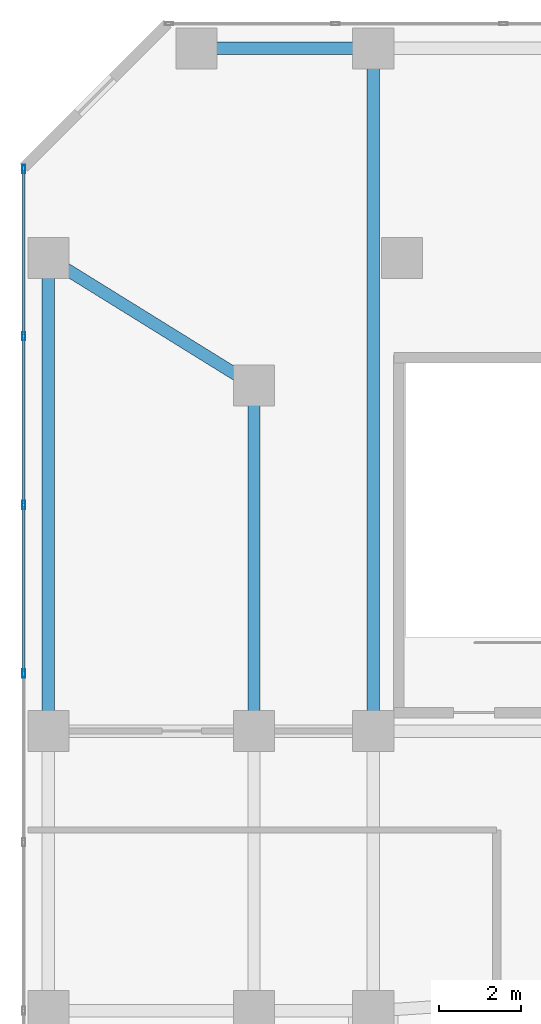
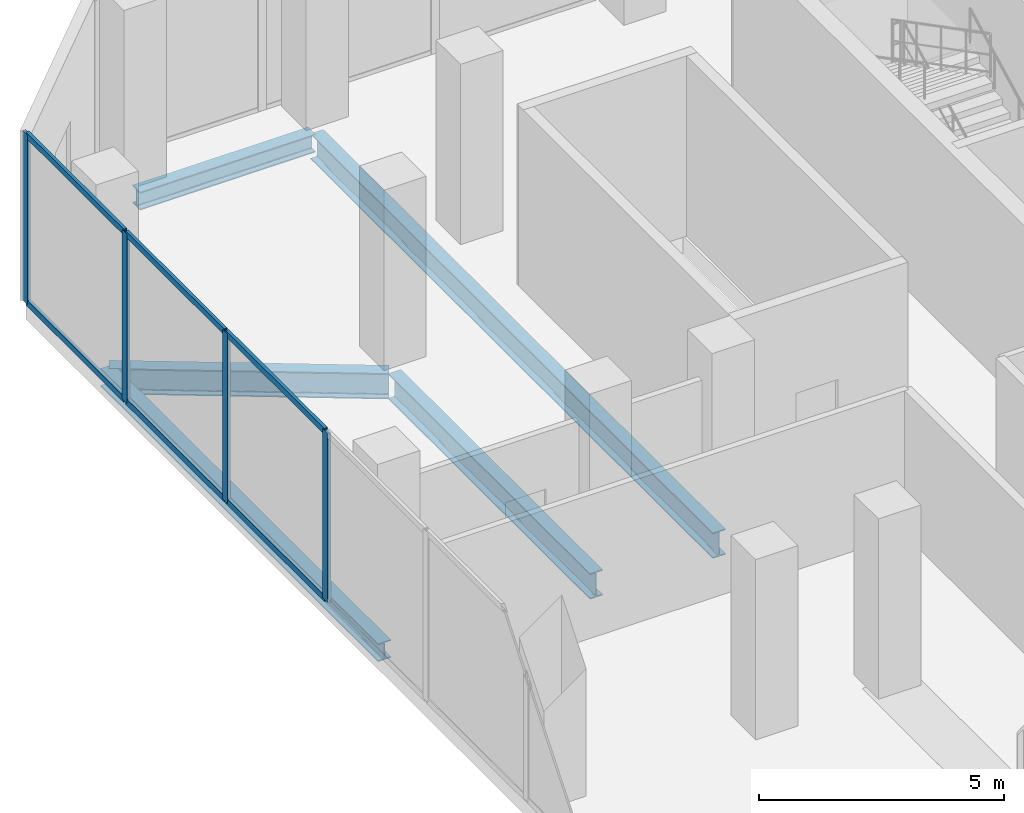
# One storey, part 13 of 24: 10 members, 5 beams, 1 element without a shape of its own.
"""IFC4 building model written with IfcOpenShell, lengths in metres."""

from ifc_helpers import new_model, si_unit, direction, frame, origin, origin_2d, place, context, subcontext, project, spatial, hollow_rectangle, i_section, extrude, material, layer, layer_set, material_profile, profile_set, type_object, element, aggregate, save


model = new_model("IFC4")

# Units and contexts
model_context = context("Model", 3, precision=1e-05, world=origin(), true_north=direction((0.0, 1.0)))
body_context = subcontext(model_context, "Body", "Model", "MODEL_VIEW")
ifc_project = project(units=[si_unit("LENGTHUNIT", "METRE"), si_unit("AREAUNIT", "SQUARE_METRE"), si_unit("VOLUMEUNIT", "CUBIC_METRE"), si_unit("PLANEANGLEUNIT", "RADIAN"), si_unit("MASSUNIT", "GRAM", prefix="KILO")], contexts=[model_context])

# Site, building, storey
site_placement = place(None, origin())
site = spatial("IfcSite", under=ifc_project, at=site_placement, CompositionType="ELEMENT")
building_placement = place(site_placement, origin())
building = spatial("IfcBuilding", under=site, at=building_placement, Name="Catumbela Crestline Tower", CompositionType="ELEMENT")
storey_placement = place(building_placement, frame((0.0, 0.0, 21.3)))
storey = spatial("IfcBuildingStorey", under=building, at=storey_placement, Name="L04", CompositionType="ELEMENT", Elevation=21.3)

# Beams
ifc_material_1 = material(Name="Structural steel S355J2", Category="steel")
ifc_material_profile_1 = material_profile(ifc_material_1, i_section(OverallWidth=0.3, OverallDepth=0.64, WebThickness=0.0135, FlangeThickness=0.026, FilletRadius=0.027, at=origin_2d()), Name="HEA 650")
ifc_profile_set_1 = profile_set([ifc_material_profile_1], Name="Structural steel S355J2")
beam_type_1 = type_object("IfcBeamType", Name="BG-HEA650", PredefinedType="BEAM", material=ifc_profile_set_1)
beam_1_placement = place(storey_placement, frame((0.668, 42.2578, -0.77), z_axis=(0.849908952007, -0.526929571479, 0.0), x_axis=(0.526929571479, 0.849908952007, 0.0)))
element("IfcBeam", 1, at=beam_1_placement, inside=storey, type_object=beam_type_1, Name="L04 Beam BM-L04-N12", PredefinedType="BEAM", context=body_context, shape_type="SweptSolid", body=[
    extrude(i_section(OverallWidth=0.3, OverallDepth=0.64, WebThickness=0.0135, FlangeThickness=0.026, FilletRadius=0.027, at=origin_2d()), origin(), (0.0, 0.0, 1.0), 5.723),
])
beam_2_placement = place(storey_placement, frame((5.6, 30.88, -0.77), z_axis=(0.0, 1.0, 0.0), x_axis=(-1.0, 0.0, 0.0)))
element("IfcBeam", 2, at=beam_2_placement, inside=storey, type_object=beam_type_1, Name="L04 Beam BM-L04-SN27", PredefinedType="BEAM", context=body_context, shape_type="SweptSolid", body=[
    extrude(i_section(OverallWidth=0.3, OverallDepth=0.64, WebThickness=0.0135, FlangeThickness=0.026, FilletRadius=0.027, at=origin_2d()), origin(), (0.0, 0.0, 1.0), 8.24),
])
beam_3_placement = place(storey_placement, frame((8.5, 30.88, -0.77), z_axis=(0.0, 1.0, 0.0), x_axis=(-1.0, 0.0, 0.0)))
element("IfcBeam", 3, at=beam_3_placement, inside=storey, type_object=beam_type_1, Name="L04 Beam BM-L04-SN29", PredefinedType="BEAM", context=body_context, shape_type="SweptSolid", body=[
    extrude(i_section(OverallWidth=0.3, OverallDepth=0.64, WebThickness=0.0135, FlangeThickness=0.026, FilletRadius=0.027, at=origin_2d()), origin(), (0.0, 0.0, 1.0), 16.44),
])

# Curtain wall, members
ifc_material_2 = material(Name="Aluminium alloy AW-6060-T66", Category="aluminium")
ifc_layer = layer(ifc_material_2, 0.18, Name="Aluminium alloy AW-6060-T66")
ifc_layer_set = layer_set([ifc_layer], Name="Aluminium alloy AW-6060-T66")
curtain_wall_type = type_object("IfcCurtainWallType", Name="CWS-POD", PredefinedType="USERDEFINED", material=ifc_layer_set)
curtain_wall_placement = place(storey_placement, origin())
curtain_wall = element("IfcCurtainWall", 4, at=curtain_wall_placement, inside=storey, type_object=curtain_wall_type, Name="L04 Stick Curtain Wall CW-L04-E9S1", ObjectType="STICK", PredefinedType="USERDEFINED")
ifc_material_profile_2 = material_profile(ifc_material_2, hollow_rectangle(XDim=0.075, YDim=0.2, WallThickness=0.005, at=origin_2d()), Name="ALU 200x75x5")
ifc_profile_set_2 = profile_set([ifc_material_profile_2], Name="Aluminium alloy AW-6060-T66")
member_type_1 = type_object("IfcMemberType", Name="MUL-200X75", PredefinedType="MULLION", material=ifc_profile_set_2)
member_1_placement = place(storey_placement, frame((0.0, 44.4675, 0.0), z_axis=(0.0, 0.0, 1.0), x_axis=(1.0, 0.0, 0.0)))
member_1 = element("IfcMember", 5, at=member_1_placement, type_object=member_type_1, Name="CWS-POD mullion 1", PredefinedType="MULLION", context=body_context, shape_type="SweptSolid", body=[
    extrude(hollow_rectangle(XDim=0.075, YDim=0.2, WallThickness=0.005, at=origin_2d()), origin(), (0.0, 0.0, 1.0), 4.23),
])
member_2_placement = place(storey_placement, frame((0.0, 40.4, 0.0), z_axis=(0.0, 0.0, 1.0), x_axis=(1.0, 0.0, 0.0)))
member_2 = element("IfcMember", 6, at=member_2_placement, type_object=member_type_1, Name="CWS-POD mullion 2", PredefinedType="MULLION", context=body_context, shape_type="SweptSolid", body=[
    extrude(hollow_rectangle(XDim=0.075, YDim=0.2, WallThickness=0.005, at=origin_2d()), origin(), (0.0, 0.0, 1.0), 4.23),
])
member_3_placement = place(storey_placement, frame((0.0, 36.3, 0.0), z_axis=(0.0, 0.0, 1.0), x_axis=(1.0, 0.0, 0.0)))
member_3 = element("IfcMember", 7, at=member_3_placement, type_object=member_type_1, Name="CWS-POD mullion 3", PredefinedType="MULLION", context=body_context, shape_type="SweptSolid", body=[
    extrude(hollow_rectangle(XDim=0.075, YDim=0.2, WallThickness=0.005, at=origin_2d()), origin(), (0.0, 0.0, 1.0), 4.23),
])
member_4_placement = place(storey_placement, frame((0.0, 32.2, 0.0), z_axis=(0.0, 0.0, 1.0), x_axis=(1.0, 0.0, 0.0)))
member_4 = element("IfcMember", 8, at=member_4_placement, type_object=member_type_1, Name="CWS-POD mullion 4", PredefinedType="MULLION", context=body_context, shape_type="SweptSolid", body=[
    extrude(hollow_rectangle(XDim=0.075, YDim=0.2, WallThickness=0.005, at=origin_2d()), origin(), (0.0, 0.0, 1.0), 4.23),
])

# Beams
ifc_material_profile_3 = material_profile(ifc_material_1, i_section(OverallWidth=0.3, OverallDepth=0.45, WebThickness=0.014, FlangeThickness=0.026, FilletRadius=0.027, at=origin_2d()), Name="HEB 450")
ifc_profile_set_3 = profile_set([ifc_material_profile_3], Name="Structural steel S355J2")
beam_type_2 = type_object("IfcBeamType", Name="BS-HEB450", PredefinedType="SPANDREL", material=ifc_profile_set_3)
beam_4_placement = place(storey_placement, frame((4.28, 47.4, -0.675), z_axis=(1.0, 0.0, 0.0), x_axis=(0.0, 1.0, 0.0)))
element("IfcBeam", 9, at=beam_4_placement, inside=storey, type_object=beam_type_2, Name="L04 Spandrel SP-L04-NF18", PredefinedType="SPANDREL", context=body_context, shape_type="SweptSolid", body=[
    extrude(i_section(OverallWidth=0.3, OverallDepth=0.45, WebThickness=0.014, FlangeThickness=0.026, FilletRadius=0.027, at=origin_2d()), origin(), (0.0, 0.0, 1.0), 4.14),
])
beam_5_placement = place(storey_placement, frame((0.6, 30.88, -0.675), z_axis=(0.0, 1.0, 0.0), x_axis=(-1.0, 0.0, 0.0)))
element("IfcBeam", 10, at=beam_5_placement, inside=storey, type_object=beam_type_2, Name="L04 Spandrel SP-L04-SN25", PredefinedType="SPANDREL", context=body_context, shape_type="SweptSolid", body=[
    extrude(i_section(OverallWidth=0.3, OverallDepth=0.45, WebThickness=0.014, FlangeThickness=0.026, FilletRadius=0.027, at=origin_2d()), origin(), (0.0, 0.0, 1.0), 11.34),
])

# Member
ifc_material_profile_4 = material_profile(ifc_material_2, hollow_rectangle(XDim=0.075, YDim=0.15, WallThickness=0.0045, at=origin_2d()), Name="ALU 150x75x4.5")
ifc_profile_set_4 = profile_set([ifc_material_profile_4], Name="Aluminium alloy AW-6060-T66")
member_type_2 = type_object("IfcMemberType", Name="TRN-150X75", PredefinedType="USERDEFINED", material=ifc_profile_set_4)
member_5_placement = place(storey_placement, frame((0.0, 44.435, 0.03), z_axis=(0.0, -1.0, 0.0), x_axis=(1.0, 0.0, 0.0)))
member_5 = element("IfcMember", 11, at=member_5_placement, type_object=member_type_2, Name="CWS-POD transom 1.1", ObjectType="TRANSOM", PredefinedType="USERDEFINED", context=body_context, shape_type="SweptSolid", body=[
    extrude(hollow_rectangle(XDim=0.075, YDim=0.15, WallThickness=0.0045, at=origin_2d()), origin(), (0.0, 0.0, 1.0), 4.0025),
])

member_6_placement = place(storey_placement, frame((0.0, 44.435, 4.2), z_axis=(0.0, -1.0, 0.0), x_axis=(1.0, 0.0, 0.0)))
member_6 = element("IfcMember", 12, at=member_6_placement, type_object=member_type_2, Name="CWS-POD transom 1.2", ObjectType="TRANSOM", PredefinedType="USERDEFINED", context=body_context, shape_type="SweptSolid", body=[
    extrude(hollow_rectangle(XDim=0.075, YDim=0.15, WallThickness=0.0045, at=origin_2d()), origin(), (0.0, 0.0, 1.0), 4.0025),
])

member_7_placement = place(storey_placement, frame((0.0, 40.3675, 0.03), z_axis=(0.0, -1.0, 0.0), x_axis=(1.0, 0.0, 0.0)))
member_7 = element("IfcMember", 13, at=member_7_placement, type_object=member_type_2, Name="CWS-POD transom 2.1", ObjectType="TRANSOM", PredefinedType="USERDEFINED", context=body_context, shape_type="SweptSolid", body=[
    extrude(hollow_rectangle(XDim=0.075, YDim=0.15, WallThickness=0.0045, at=origin_2d()), origin(), (0.0, 0.0, 1.0), 4.035),
])

member_8_placement = place(storey_placement, frame((0.0, 40.3675, 4.2), z_axis=(0.0, -1.0, 0.0), x_axis=(1.0, 0.0, 0.0)))
member_8 = element("IfcMember", 14, at=member_8_placement, type_object=member_type_2, Name="CWS-POD transom 2.2", ObjectType="TRANSOM", PredefinedType="USERDEFINED", context=body_context, shape_type="SweptSolid", body=[
    extrude(hollow_rectangle(XDim=0.075, YDim=0.15, WallThickness=0.0045, at=origin_2d()), origin(), (0.0, 0.0, 1.0), 4.035),
])

member_9_placement = place(storey_placement, frame((0.0, 36.2675, 0.03), z_axis=(0.0, -1.0, 0.0), x_axis=(1.0, 0.0, 0.0)))
member_9 = element("IfcMember", 15, at=member_9_placement, type_object=member_type_2, Name="CWS-POD transom 3.1", ObjectType="TRANSOM", PredefinedType="USERDEFINED", context=body_context, shape_type="SweptSolid", body=[
    extrude(hollow_rectangle(XDim=0.075, YDim=0.15, WallThickness=0.0045, at=origin_2d()), origin(), (0.0, 0.0, 1.0), 4.035),
])

member_10_placement = place(storey_placement, frame((0.0, 36.2675, 4.2), z_axis=(0.0, -1.0, 0.0), x_axis=(1.0, 0.0, 0.0)))
member_10 = element("IfcMember", 16, at=member_10_placement, type_object=member_type_2, Name="CWS-POD transom 3.2", ObjectType="TRANSOM", PredefinedType="USERDEFINED", context=body_context, shape_type="SweptSolid", body=[
    extrude(hollow_rectangle(XDim=0.075, YDim=0.15, WallThickness=0.0045, at=origin_2d()), origin(), (0.0, 0.0, 1.0), 4.035),
])

aggregate(curtain_wall, [member_1, member_2, member_3, member_4, member_5, member_6, member_7, member_8, member_9, member_10])

save(model, "model.ifc")
